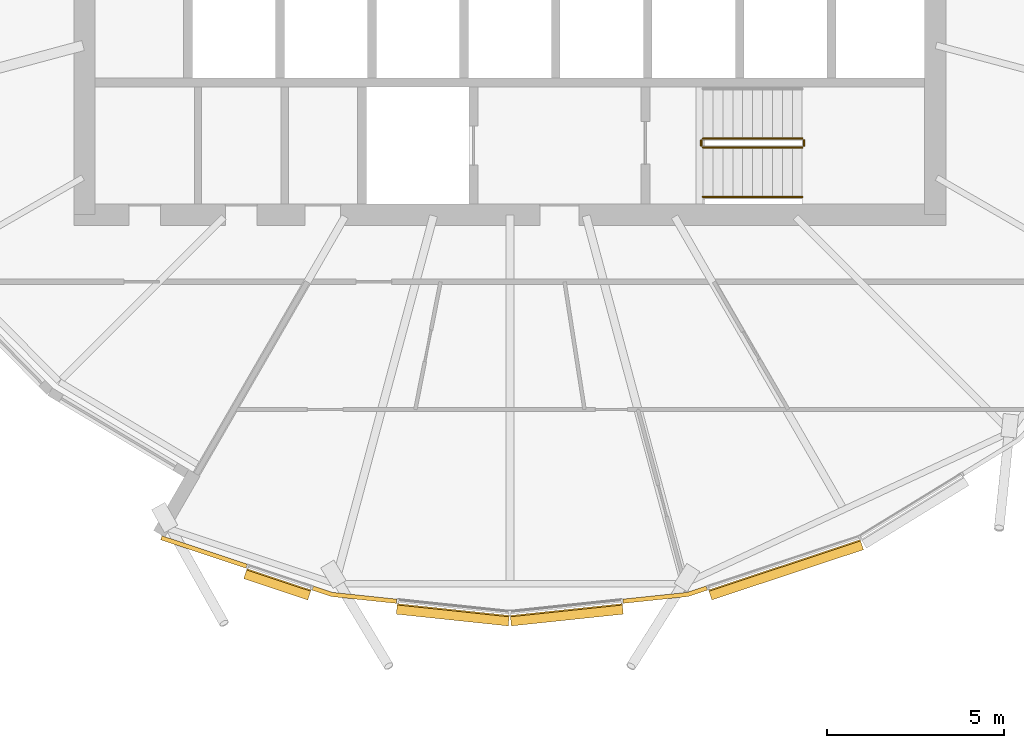
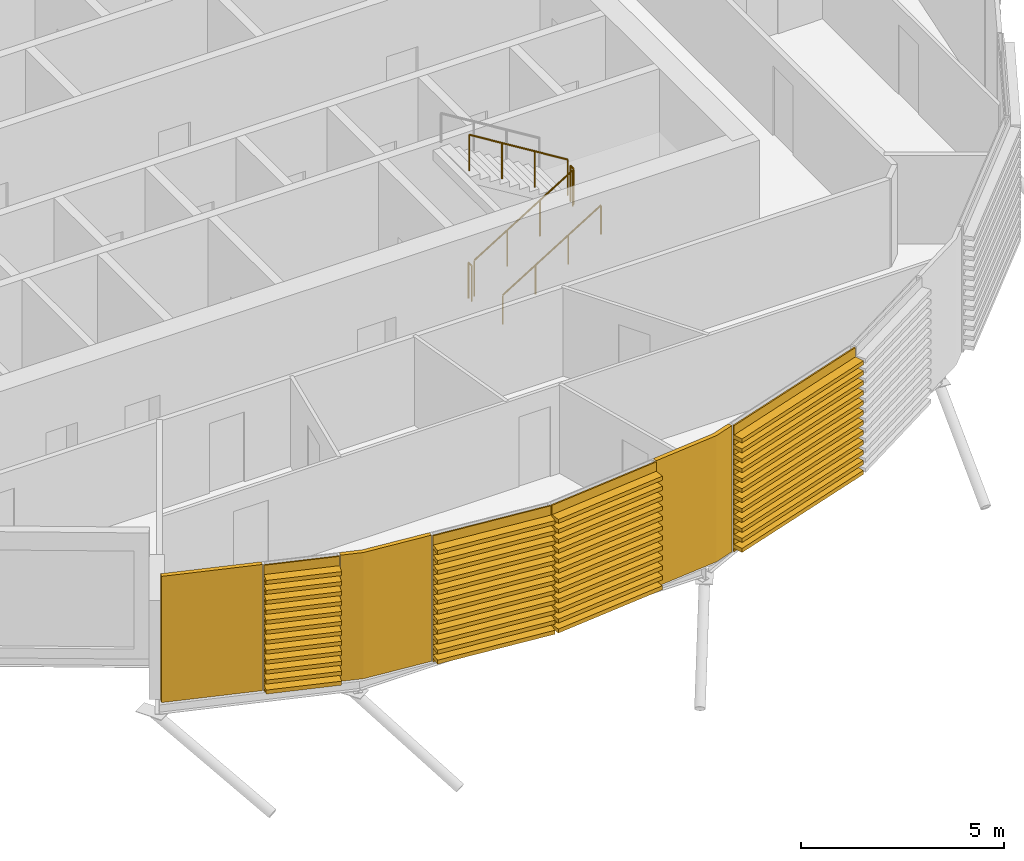
# One storey, part 31 of 36: 7 coverings, 5 railings.
"""IFC4 building model written with IfcOpenShell, lengths in metres."""

from ifc_helpers import new_model, si_unit, direction, frame, origin, origin_2d, place, context, subcontext, project, spatial, polyline, circle, outline, extrude, material, layer, layer_set, material_profile, profile_set, type_object, element, save


model = new_model("IFC4")

# Units and contexts
model_context = context("Model", 3, precision=1e-05, world=origin(), true_north=direction((0.0, 1.0)))
body_context = subcontext(model_context, "Body", "Model", "MODEL_VIEW")
ifc_project = project(units=[si_unit("LENGTHUNIT", "METRE"), si_unit("AREAUNIT", "SQUARE_METRE"), si_unit("VOLUMEUNIT", "CUBIC_METRE"), si_unit("PLANEANGLEUNIT", "RADIAN"), si_unit("MASSUNIT", "GRAM", prefix="KILO")], contexts=[model_context])

# Site, building, storey
site_placement = place(None, origin())
site = spatial("IfcSite", under=ifc_project, at=site_placement, CompositionType="ELEMENT")
building_placement = place(site_placement, origin())
building = spatial("IfcBuilding", under=site, at=building_placement, Name="Rimbun Link Towers", CompositionType="ELEMENT")
storey_placement = place(building_placement, frame((0.0, 0.0, 200.699951171875)))
storey = spatial("IfcBuildingStorey", under=building, at=storey_placement, Name="L49", CompositionType="ELEMENT", Elevation=200.699951171875)

# Coverings
ifc_material_1 = material(Name="Terracotta", Category="masonry")
ifc_layer = layer(ifc_material_1, 0.1201171875)
ifc_layer_set = layer_set([ifc_layer], Name="LINK PIER terracotta cladding 120")
covering_type_1 = type_object("IfcCoveringType", Name="LINK PIER terracotta cladding 120", PredefinedType="CLADDING", material=ifc_layer_set)
covering_1_placement = place(storey_placement, origin())
element("IfcCovering", 1, at=covering_1_placement, inside=storey, type_object=covering_type_1, Name="LINK PIER cladding", PredefinedType="CLADDING", context=body_context, shape_type="SweptSolid", body=[
    extrude(outline(polyline([(-39.154052734375, -17.858154296875), (-41.565185546875, -17.05908203125), (-41.602783203125, -17.173095703125), (-39.19189453125, -17.971923828125), (-39.154052734375, -17.858154296875)])), origin(), (0.0, 0.0, 1.0), 3.800048828125),
])
covering_2_placement = place(storey_placement, origin())
element("IfcCovering", 2, at=covering_2_placement, inside=storey, type_object=covering_type_1, Name="LINK PIER cladding", PredefinedType="CLADDING", context=body_context, shape_type="SweptSolid", body=[
    extrude(outline(polyline([(-34.938720703125, -18.845947265625), (-36.748779296875, -18.6552734375), (-37.289794921875, -18.475830078125), (-37.327392578125, -18.58984375), (-36.774169921875, -18.773193359375), (-34.951171875, -18.965087890625), (-34.938720703125, -18.845947265625)])), origin(), (0.0, 0.0, 1.0), 3.800048828125),
])
covering_3_placement = place(storey_placement, origin())
element("IfcCovering", 3, at=covering_3_placement, inside=storey, type_object=covering_type_1, Name="LINK PIER cladding", PredefinedType="CLADDING", context=body_context, shape_type="SweptSolid", body=[
    extrude(outline(polyline([(-26.210205078125, -18.475830078125), (-26.751220703125, -18.6552734375), (-28.561279296875, -18.845947265625), (-28.548828125, -18.965087890625), (-26.725830078125, -18.773193359375), (-26.172607421875, -18.58984375), (-26.210205078125, -18.475830078125)])), origin(), (0.0, 0.0, 1.0), 3.800048828125),
])

# Railings
ifc_material_2 = material(Name="Stainless steel grade 316", Category="steel")
railing_type_1 = type_object("IfcRailingType", Name="Stair guard", PredefinedType="GUARDRAIL", material=ifc_material_2)
railing_1_placement = place(storey_placement, frame((-26.300048828125, -6.10009765625, 0.1728515625)))
element("IfcRailing", 4, at=railing_1_placement, inside=storey, type_object=railing_type_1, Name="L49 ST2 stair guard 1", PredefinedType="GUARDRAIL", context=body_context, shape_type="SweptSolid", body=[
    extrude(circle(Radius=0.02392578125, at=origin_2d()), frame((0.0, 0.0, 1.076171875), z_axis=(0.851089632645, 0.0, 0.525020415988), x_axis=(0.0, 1.0, 0.0)), (0.0, 0.0, 1.0), 3.2900390625),
    extrude(circle(Radius=0.02099609375, at=origin_2d()), origin(), (0.0, 0.0, 1.0), 1.052001953125),
    extrude(circle(Radius=0.02099609375, at=origin_2d()), frame((0.933349609375, 0.0, 0.57568359375)), (0.0, 0.0, 1.0), 1.052001953125),
    extrude(circle(Radius=0.02099609375, at=origin_2d()), frame((1.86669921875, 0.0, 1.151611328125)), (0.0, 0.0, 1.0), 1.052001953125),
    extrude(circle(Radius=0.02099609375, at=origin_2d()), frame((2.800048828125, 0.0, 1.727294921875)), (0.0, 0.0, 1.0), 1.052001953125),
])
railing_2_placement = place(storey_placement, frame((-23.449951171875, -6.050048828125, 1.900146484375)))
element("IfcRailing", 5, at=railing_2_placement, inside=storey, type_object=railing_type_1, Name="L49 ST2 stair guard 2", PredefinedType="GUARDRAIL", context=body_context, shape_type="SweptSolid", body=[
    extrude(circle(Radius=0.02392578125, at=origin_2d()), frame((0.0, 0.0, 1.076171875), z_axis=(0.0, 1.0, 0.0), x_axis=(-1.0, 0.0, 0.0)), (0.0, 0.0, 1.0), 0.150146484375),
    extrude(circle(Radius=0.02099609375, at=origin_2d()), origin(), (0.0, 0.0, 1.0), 1.052001953125),
    extrude(circle(Radius=0.02099609375, at=origin_2d()), frame((0.0, 0.150146484375, 0.0)), (0.0, 0.0, 1.0), 1.052001953125),
])
railing_3_placement = place(storey_placement, frame((-23.5, -5.85009765625, 2.07275390625)))
element("IfcRailing", 6, at=railing_3_placement, inside=storey, type_object=railing_type_1, Name="L49 ST2 stair guard 3", PredefinedType="GUARDRAIL", context=body_context, shape_type="SweptSolid", body=[
    extrude(circle(Radius=0.02392578125, at=origin_2d()), frame((0.0, 0.0, 1.076171875), z_axis=(-0.851089632645, 0.0, 0.525020415988), x_axis=(0.0, -1.0, 0.0)), (0.0, 0.0, 1.0), 3.2900390625),
    extrude(circle(Radius=0.02099609375, at=origin_2d()), origin(), (0.0, 0.0, 1.0), 1.052001953125),
    extrude(circle(Radius=0.02099609375, at=origin_2d()), frame((-0.933349609375, 0.0, 0.57568359375)), (0.0, 0.0, 1.0), 1.052001953125),
    extrude(circle(Radius=0.02099609375, at=origin_2d()), frame((-1.86669921875, 0.0, 1.151611328125)), (0.0, 0.0, 1.0), 1.052001953125),
    extrude(circle(Radius=0.02099609375, at=origin_2d()), frame((-2.800048828125, 0.0, 1.727294921875)), (0.0, 0.0, 1.0), 1.052001953125),
])
railing_4_placement = place(storey_placement, frame((-26.35009765625, -6.050048828125, 0.0)))
element("IfcRailing", 7, at=railing_4_placement, inside=storey, type_object=railing_type_1, Name="L49 ST2 stair guard 4", PredefinedType="GUARDRAIL", context=body_context, shape_type="SweptSolid", body=[
    extrude(circle(Radius=0.02392578125, at=origin_2d()), frame((0.0, 0.0, 1.076171875), z_axis=(0.0, 1.0, 0.0), x_axis=(-1.0, 0.0, 0.0)), (0.0, 0.0, 1.0), 0.150146484375),
    extrude(circle(Radius=0.02099609375, at=origin_2d()), origin(), (0.0, 0.0, 1.0), 1.052001953125),
    extrude(circle(Radius=0.02099609375, at=origin_2d()), frame((0.0, 0.150146484375, 0.0)), (0.0, 0.0, 1.0), 1.052001953125),
])
ifc_material_3 = material(Name="Stainless steel grade 316", Category="steel")
railing_type_2 = type_object("IfcRailingType", Name="Stair handrail", PredefinedType="HANDRAIL", material=ifc_material_3)
railing_5_placement = place(storey_placement, frame((-26.300048828125, -7.5, 0.1728515625)))
element("IfcRailing", 8, at=railing_5_placement, inside=storey, type_object=railing_type_2, Name="L49 ST2 stair handrail 1", PredefinedType="HANDRAIL", context=body_context, shape_type="SweptSolid", body=[
    extrude(circle(Radius=0.02392578125, at=origin_2d()), frame((0.0, 0.0, 0.8759765625), z_axis=(0.851089632645, 0.0, 0.525020415988), x_axis=(0.0, 1.0, 0.0)), (0.0, 0.0, 1.0), 3.2900390625),
    extrude(circle(Radius=0.02099609375, at=origin_2d()), origin(), (0.0, 0.0, 1.0), 0.851806640625),
    extrude(circle(Radius=0.02099609375, at=origin_2d()), frame((0.933349609375, 0.0, 0.57568359375)), (0.0, 0.0, 1.0), 0.851806640625),
    extrude(circle(Radius=0.02099609375, at=origin_2d()), frame((1.86669921875, 0.0, 1.151611328125)), (0.0, 0.0, 1.0), 0.851806640625),
    extrude(circle(Radius=0.02099609375, at=origin_2d()), frame((2.800048828125, 0.0, 1.727294921875)), (0.0, 0.0, 1.0), 0.851806640625),
])

# Coverings
ifc_material_4 = material(Name="Terracotta", Category="masonry")
ifc_material_profile = material_profile(ifc_material_4, outline(polyline([(0.123046875, 0.0), (0.1630859375, 0.0), (0.1630859375, 0.10009765625), (0.423095703125, 0.10009765625), (0.423095703125, 0.219970703125), (0.1630859375, 0.219970703125), (0.1630859375, 0.39990234375), (0.423095703125, 0.39990234375), (0.423095703125, 0.52001953125), (0.1630859375, 0.52001953125), (0.1630859375, 0.699951171875), (0.423095703125, 0.699951171875), (0.423095703125, 0.820068359375), (0.1630859375, 0.820068359375), (0.1630859375, 1.0), (0.423095703125, 1.0), (0.423095703125, 1.1201171875), (0.1630859375, 1.1201171875), (0.1630859375, 1.300048828125), (0.423095703125, 1.300048828125), (0.423095703125, 1.419921875), (0.1630859375, 1.419921875), (0.1630859375, 1.60009765625), (0.423095703125, 1.60009765625), (0.423095703125, 1.719970703125), (0.1630859375, 1.719970703125), (0.1630859375, 1.89990234375), (0.423095703125, 1.89990234375), (0.423095703125, 2.02001953125), (0.1630859375, 2.02001953125), (0.1630859375, 2.199951171875), (0.423095703125, 2.199951171875), (0.423095703125, 2.320068359375), (0.1630859375, 2.320068359375), (0.1630859375, 2.5), (0.423095703125, 2.5), (0.423095703125, 2.6201171875), (0.1630859375, 2.6201171875), (0.1630859375, 2.800048828125), (0.423095703125, 2.800048828125), (0.423095703125, 2.919921875), (0.1630859375, 2.919921875), (0.1630859375, 3.10009765625), (0.423095703125, 3.10009765625), (0.423095703125, 3.219970703125), (0.1630859375, 3.219970703125), (0.1630859375, 3.39990234375), (0.423095703125, 3.39990234375), (0.423095703125, 3.52001953125), (0.1630859375, 3.52001953125), (0.1630859375, 3.800048828125), (0.123046875, 3.800048828125), (0.123046875, 0.0)])), Name="BAGUETTE 120X300")
ifc_profile_set = profile_set([ifc_material_profile], Name="Terracotta")
covering_type_2 = type_object("IfcCoveringType", Name="TERRACOTTA BAGUETTE 120X300 H3800", PredefinedType="CLADDING", material=ifc_profile_set)
covering_4_placement = place(storey_placement, frame((-37.318359375, -18.466552734375, 0.0), z_axis=(-0.949194989763, 0.314688530786, 0.0), x_axis=(-0.314688530786, -0.949194989763, 0.0)))
element("IfcCovering", 9, at=covering_4_placement, inside=storey, type_object=covering_type_2, Name="TERRACOTTA BAGUETTE", PredefinedType="CLADDING", context=body_context, shape_type="SweptSolid", body=[
    extrude(outline(polyline([(0.123046875, 0.0), (0.1630859375, 0.0), (0.1630859375, 0.10009765625), (0.423095703125, 0.10009765625), (0.423095703125, 0.219970703125), (0.1630859375, 0.219970703125), (0.1630859375, 0.39990234375), (0.423095703125, 0.39990234375), (0.423095703125, 0.52001953125), (0.1630859375, 0.52001953125), (0.1630859375, 0.699951171875), (0.423095703125, 0.699951171875), (0.423095703125, 0.820068359375), (0.1630859375, 0.820068359375), (0.1630859375, 1.0), (0.423095703125, 1.0), (0.423095703125, 1.1201171875), (0.1630859375, 1.1201171875), (0.1630859375, 1.300048828125), (0.423095703125, 1.300048828125), (0.423095703125, 1.419921875), (0.1630859375, 1.419921875), (0.1630859375, 1.60009765625), (0.423095703125, 1.60009765625), (0.423095703125, 1.719970703125), (0.1630859375, 1.719970703125), (0.1630859375, 1.89990234375), (0.423095703125, 1.89990234375), (0.423095703125, 2.02001953125), (0.1630859375, 2.02001953125), (0.1630859375, 2.199951171875), (0.423095703125, 2.199951171875), (0.423095703125, 2.320068359375), (0.1630859375, 2.320068359375), (0.1630859375, 2.5), (0.423095703125, 2.5), (0.423095703125, 2.6201171875), (0.1630859375, 2.6201171875), (0.1630859375, 2.800048828125), (0.423095703125, 2.800048828125), (0.423095703125, 2.919921875), (0.1630859375, 2.919921875), (0.1630859375, 3.10009765625), (0.423095703125, 3.10009765625), (0.423095703125, 3.219970703125), (0.1630859375, 3.219970703125), (0.1630859375, 3.39990234375), (0.423095703125, 3.39990234375), (0.423095703125, 3.52001953125), (0.1630859375, 3.52001953125), (0.1630859375, 3.800048828125), (0.123046875, 3.800048828125), (0.123046875, 0.0)])), origin(), (0.0, 0.0, 1.0), 1.90380859375),
])
for number, where, z_axis, x_axis, name in (
    (10, (-31.75, -19.181640625, 0.0), (-0.994497448106, 0.104760802362, 0.0), (-0.104760802362, -0.994497448106, 0.0), "TERRACOTTA BAGUETTE"),
    (11, (-28.591064453125, -18.848876953125, 0.0), (-0.994497448106, -0.104760802362, 0.0), (0.104760802362, -0.994497448106, 0.0), "TERRACOTTA BAGUETTE"),
):
    element("IfcCovering", number, at=place(storey_placement, frame(where, z_axis=z_axis, x_axis=x_axis)), inside=storey, type_object=covering_type_2, Name=name, PredefinedType="CLADDING", context=body_context, shape_type="SweptSolid", body=[
        extrude(outline(polyline([(0.123046875, 0.0), (0.1630859375, 0.0), (0.1630859375, 0.10009765625), (0.423095703125, 0.10009765625), (0.423095703125, 0.219970703125), (0.1630859375, 0.219970703125), (0.1630859375, 0.39990234375), (0.423095703125, 0.39990234375), (0.423095703125, 0.52001953125), (0.1630859375, 0.52001953125), (0.1630859375, 0.699951171875), (0.423095703125, 0.699951171875), (0.423095703125, 0.820068359375), (0.1630859375, 0.820068359375), (0.1630859375, 1.0), (0.423095703125, 1.0), (0.423095703125, 1.1201171875), (0.1630859375, 1.1201171875), (0.1630859375, 1.300048828125), (0.423095703125, 1.300048828125), (0.423095703125, 1.419921875), (0.1630859375, 1.419921875), (0.1630859375, 1.60009765625), (0.423095703125, 1.60009765625), (0.423095703125, 1.719970703125), (0.1630859375, 1.719970703125), (0.1630859375, 1.89990234375), (0.423095703125, 1.89990234375), (0.423095703125, 2.02001953125), (0.1630859375, 2.02001953125), (0.1630859375, 2.199951171875), (0.423095703125, 2.199951171875), (0.423095703125, 2.320068359375), (0.1630859375, 2.320068359375), (0.1630859375, 2.5), (0.423095703125, 2.5), (0.423095703125, 2.6201171875), (0.1630859375, 2.6201171875), (0.1630859375, 2.800048828125), (0.423095703125, 2.800048828125), (0.423095703125, 2.919921875), (0.1630859375, 2.919921875), (0.1630859375, 3.10009765625), (0.423095703125, 3.10009765625), (0.423095703125, 3.219970703125), (0.1630859375, 3.219970703125), (0.1630859375, 3.39990234375), (0.423095703125, 3.39990234375), (0.423095703125, 3.52001953125), (0.1630859375, 3.52001953125), (0.1630859375, 3.800048828125), (0.123046875, 3.800048828125), (0.123046875, 0.0)])), origin(), (0.0, 0.0, 1.0), 3.176513671875),
    ])
covering_5_placement = place(storey_placement, frame((-21.906494140625, -17.0498046875, 0.0), z_axis=(-0.949234768601, -0.314568520484, 0.0), x_axis=(0.314568520484, -0.949234768601, 0.0)))
element("IfcCovering", 12, at=covering_5_placement, inside=storey, type_object=covering_type_2, Name="TERRACOTTA BAGUETTE", PredefinedType="CLADDING", context=body_context, shape_type="SweptSolid", body=[
    extrude(outline(polyline([(0.123046875, 0.0), (0.1630859375, 0.0), (0.1630859375, 0.10009765625), (0.423095703125, 0.10009765625), (0.423095703125, 0.219970703125), (0.1630859375, 0.219970703125), (0.1630859375, 0.39990234375), (0.423095703125, 0.39990234375), (0.423095703125, 0.52001953125), (0.1630859375, 0.52001953125), (0.1630859375, 0.699951171875), (0.423095703125, 0.699951171875), (0.423095703125, 0.820068359375), (0.1630859375, 0.820068359375), (0.1630859375, 1.0), (0.423095703125, 1.0), (0.423095703125, 1.1201171875), (0.1630859375, 1.1201171875), (0.1630859375, 1.300048828125), (0.423095703125, 1.300048828125), (0.423095703125, 1.419921875), (0.1630859375, 1.419921875), (0.1630859375, 1.60009765625), (0.423095703125, 1.60009765625), (0.423095703125, 1.719970703125), (0.1630859375, 1.719970703125), (0.1630859375, 1.89990234375), (0.423095703125, 1.89990234375), (0.423095703125, 2.02001953125), (0.1630859375, 2.02001953125), (0.1630859375, 2.199951171875), (0.423095703125, 2.199951171875), (0.423095703125, 2.320068359375), (0.1630859375, 2.320068359375), (0.1630859375, 2.5), (0.423095703125, 2.5), (0.423095703125, 2.6201171875), (0.1630859375, 2.6201171875), (0.1630859375, 2.800048828125), (0.423095703125, 2.800048828125), (0.423095703125, 2.919921875), (0.1630859375, 2.919921875), (0.1630859375, 3.10009765625), (0.423095703125, 3.10009765625), (0.423095703125, 3.219970703125), (0.1630859375, 3.219970703125), (0.1630859375, 3.39990234375), (0.423095703125, 3.39990234375), (0.423095703125, 3.52001953125), (0.1630859375, 3.52001953125), (0.1630859375, 3.800048828125), (0.123046875, 3.800048828125), (0.123046875, 0.0)])), origin(), (0.0, 0.0, 1.0), 4.503662109375),
])

save(model, "model.ifc")
